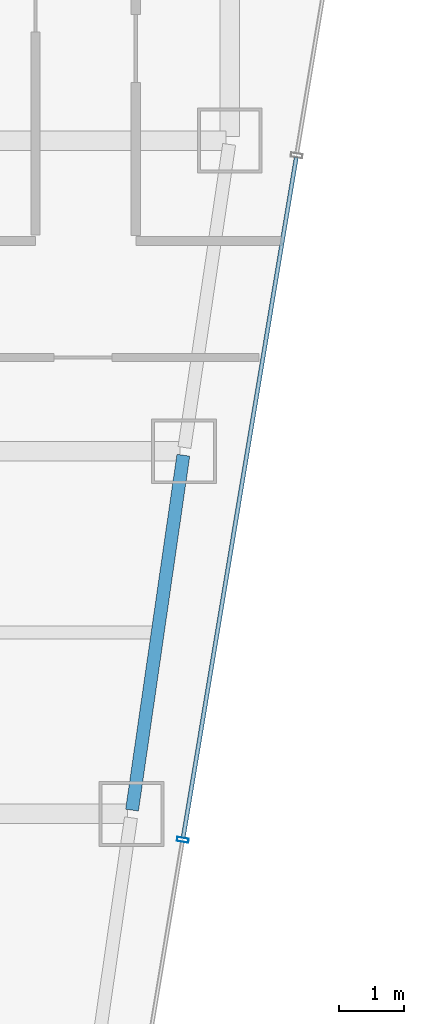
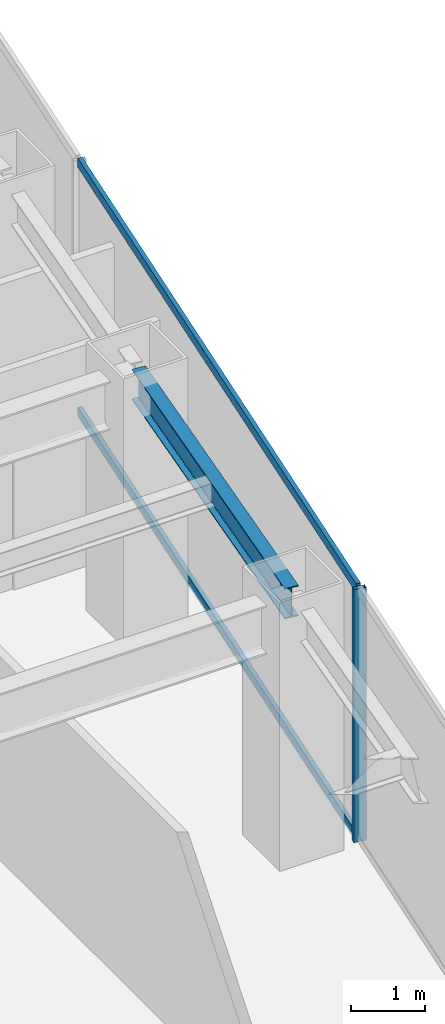
# One storey, part 19 of 37: 3 members, 1 beam, 1 element without a shape of its own.
"""IFC4 building model written with IfcOpenShell, lengths in metres."""

from ifc_helpers import new_model, si_unit, direction, frame, origin, origin_2d, place, context, subcontext, project, spatial, hollow_rectangle, i_section, extrude, material, material_profile, profile_set, type_object, element, aggregate, save


model = new_model("IFC4")

# Units and contexts
model_context = context("Model", 3, precision=1e-05, world=origin(), true_north=direction((0.0, 1.0)))
body_context = subcontext(model_context, "Body", "Model", "MODEL_VIEW")
ifc_project = project(units=[si_unit("LENGTHUNIT", "METRE"), si_unit("AREAUNIT", "SQUARE_METRE"), si_unit("VOLUMEUNIT", "CUBIC_METRE"), si_unit("PLANEANGLEUNIT", "RADIAN"), si_unit("MASSUNIT", "GRAM", prefix="KILO")], contexts=[model_context])

# Site, building, storey
site_placement = place(None, origin())
site = spatial("IfcSite", under=ifc_project, at=site_placement, CompositionType="ELEMENT")
building_placement = place(site_placement, origin())
building = spatial("IfcBuilding", under=site, at=building_placement, Name="Saevonmaru Cultural Tower", CompositionType="ELEMENT")
storey_placement = place(building_placement, frame((0.0, 0.0, 114.800048828125)))
storey = spatial("IfcBuildingStorey", under=building, at=storey_placement, Name="L24", CompositionType="ELEMENT", Elevation=114.800048828125)

# Beam
ifc_material_1 = material(Name="Steel SM355", Category="steel")
ifc_material_profile_1 = material_profile(ifc_material_1, i_section(OverallWidth=0.199951171875, OverallDepth=0.5, WebThickness=0.010009765625, FlangeThickness=0.01611328125, FilletRadius=0.02001953125, at=origin_2d()), Name="H-500x200x10x16")
ifc_profile_set_1 = profile_set([ifc_material_profile_1], Name="Steel SM355")
beam_type = type_object("IfcBeamType", Name="BM-SP-H500", PredefinedType="SPANDREL", material=ifc_profile_set_1)
beam_placement = place(storey_placement, frame((51.691650390625, 32.059326171875, 3.89990234375), z_axis=(0.142964121327, 0.989727871697, 0.0), x_axis=(-0.989727871697, 0.142964121327, 0.0)))
element("IfcBeam", 1, at=beam_placement, inside=storey, type_object=beam_type, Name="L24 East Splayed Spandrel 4", PredefinedType="SPANDREL", context=body_context, shape_type="SweptSolid", body=[
    extrude(i_section(OverallWidth=0.199951171875, OverallDepth=0.5, WebThickness=0.010009765625, FlangeThickness=0.01611328125, FilletRadius=0.02001953125, at=origin_2d()), origin(), (0.0, 0.0, 1.0), 5.5380859375),
])

# Curtain wall, members
ifc_material_2 = material(Name="Satin Bronze Anodised Aluminium", Category="aluminium")
curtain_wall_type = type_object("IfcCurtainWallType", Name="CW-TYP-A", PredefinedType="NOTDEFINED", material=ifc_material_2)
curtain_wall_placement = place(storey_placement, origin())
curtain_wall = element("IfcCurtainWall", 2, at=curtain_wall_placement, inside=storey, type_object=curtain_wall_type, Name="L24 Unitised Curtain Wall E8", PredefinedType="NOTDEFINED")
ifc_material_profile_2 = material_profile(ifc_material_2, hollow_rectangle(XDim=0.06494140625, YDim=0.179931640625, WallThickness=0.00390625, at=origin_2d()), Name="ALU-MULL-180x65x4")
ifc_profile_set_2 = profile_set([ifc_material_profile_2], Name="Satin Bronze Anodised Aluminium")
member_type_1 = type_object("IfcMemberType", Name="ML-CW-180x65", PredefinedType="MULLION", material=ifc_profile_set_2)
member_1_placement = place(storey_placement, frame((52.4755859375, 31.60009765625, 0.0), z_axis=(0.0, 0.0, 1.0), x_axis=(0.163998702345, 0.986460554523, 0.0)))
member_1 = element("IfcMember", 3, at=member_1_placement, type_object=member_type_1, Name="CW-TW-L24-E8 mullion 3", PredefinedType="MULLION", context=body_context, shape_type="SweptSolid", body=[
    extrude(hollow_rectangle(XDim=0.06494140625, YDim=0.179931640625, WallThickness=0.00390625, at=origin_2d()), origin(), (0.0, 0.0, 1.0), 4.14990234375),
])
ifc_material_profile_3 = material_profile(ifc_material_2, hollow_rectangle(XDim=0.06494140625, YDim=0.14990234375, WallThickness=0.00390625, at=origin_2d()), Name="ALU-TRAN-150x65x4")
ifc_profile_set_3 = profile_set([ifc_material_profile_3], Name="Satin Bronze Anodised Aluminium")
member_type_2 = type_object("IfcMemberType", Name="TR-CW-150x65", PredefinedType="USERDEFINED", material=ifc_profile_set_3)
member_2_placement = place(storey_placement, frame((52.48095703125, 31.632080078125, 0.032470703125), z_axis=(0.163990079074, 0.9864619881, 0.0), x_axis=(-0.9864619881, 0.163990079074, 0.0)))
member_2 = element("IfcMember", 4, at=member_2_placement, type_object=member_type_2, Name="CW-TW-L24-E8 transom 3.1", ObjectType="TRANSOM", PredefinedType="USERDEFINED", context=body_context, shape_type="SweptSolid", body=[
    extrude(hollow_rectangle(XDim=0.06494140625, YDim=0.14990234375, WallThickness=0.00390625, at=origin_2d()), origin(), (0.0, 0.0, 1.0), 10.650634765625),
])
member_3_placement = place(storey_placement, frame((52.48095703125, 31.632080078125, 4.117431640625), z_axis=(0.163990079074, 0.9864619881, 0.0), x_axis=(-0.9864619881, 0.163990079074, 0.0)))
member_3 = element("IfcMember", 5, at=member_3_placement, type_object=member_type_2, Name="CW-TW-L24-E8 transom 3.2", ObjectType="TRANSOM", PredefinedType="USERDEFINED", context=body_context, shape_type="SweptSolid", body=[
    extrude(hollow_rectangle(XDim=0.06494140625, YDim=0.14990234375, WallThickness=0.00390625, at=origin_2d()), origin(), (0.0, 0.0, 1.0), 10.650634765625),
])
aggregate(curtain_wall, [member_1, member_2, member_3])

save(model, "model.ifc")
